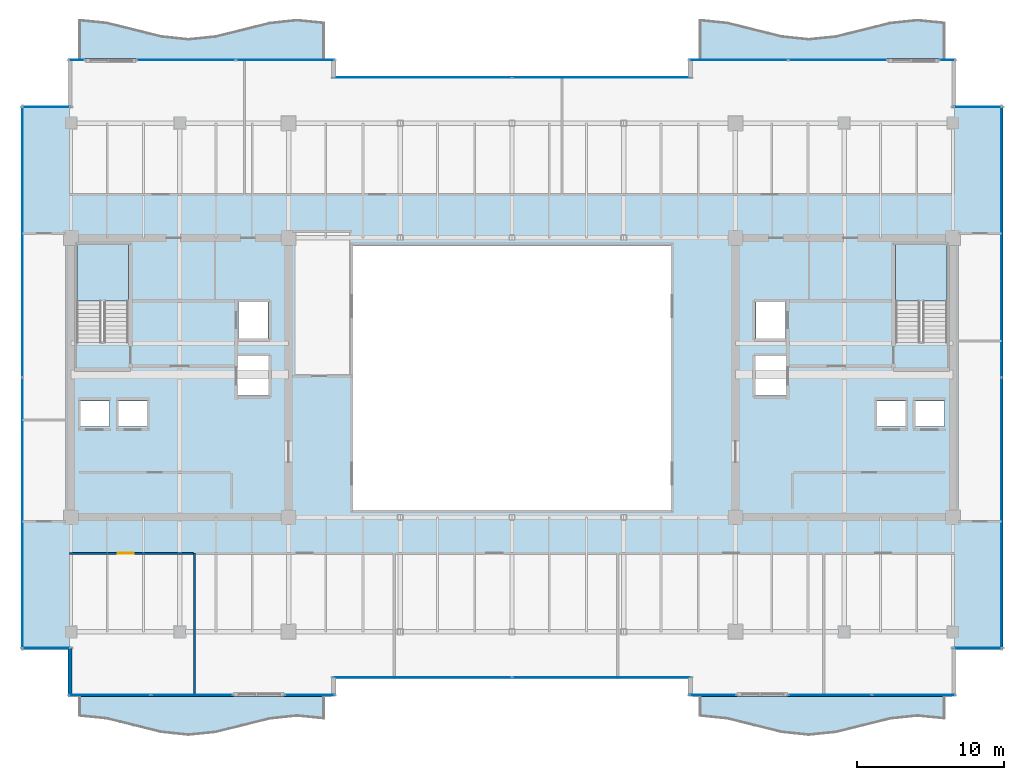
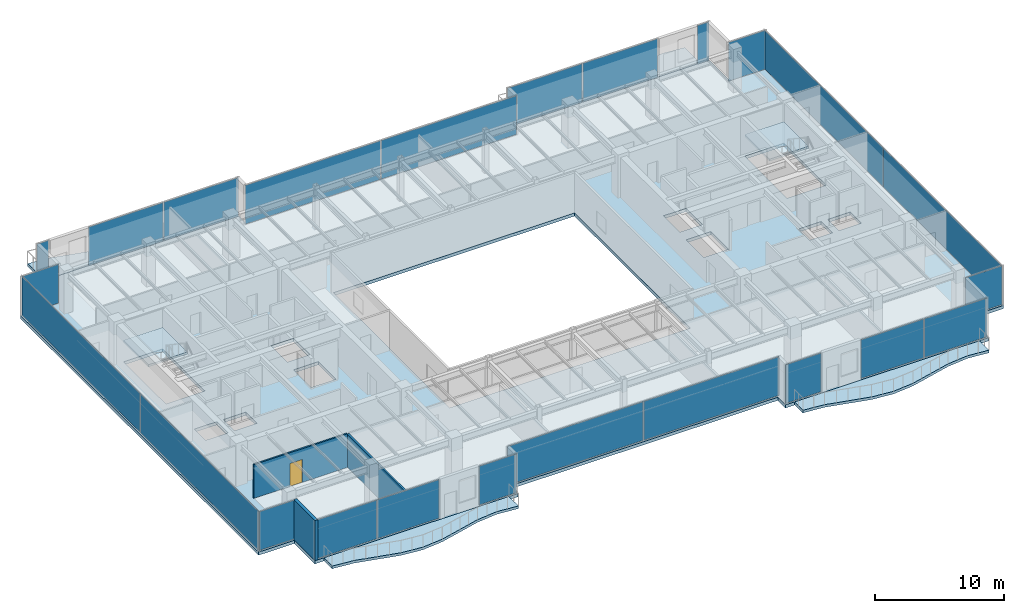
# One storey, part 27 of 35: 24 plates, 7 slabs, 3 walls, 1 door, 1 opening, 18 elements without a shape of their own.
"""IFC4 building model written with IfcOpenShell, lengths in metres."""

import ifcopenshell
import ifcopenshell.guid

model = None  # the IFC model being written
_history = None  # IfcOwnerHistory: only IFC2X3 demands one
_inside = {}  # id of a spatial element -> (the spatial element, [elements in it])
_under = {}  # id of a project, library or spatial element -> (it, [spatial elements below it])
_declared = {}  # id of a project -> (the project, [libraries it declares])
_typed = {}  # id of a type object -> (the type object, [elements of that type])
_made_of = {}  # id of a material, layer set ... -> (it, [elements and type objects made of it])


def new_model(schema):
    """Start an empty IFC model of exactly this schema.

    Asked for "IFC4X3", IfcOpenShell would pick the latest addendum, in which some entities
    have other attributes; the version numbers below select the first issue.
    IFC2X3 requires an IfcOwnerHistory on every rooted entity: one is made here for all.
    """
    global model, _history
    if schema == "IFC4X3":
        model = ifcopenshell.file(schema_version=(4, 3, 0, 0))
    else:
        model = ifcopenshell.file(schema=schema)
    _inside.clear()
    _under.clear()
    _declared.clear()
    _typed.clear()
    _made_of.clear()
    _history = None
    if model.schema == "IFC2X3":
        org = make("IfcOrganization", Name="unknown")
        user = make(
            "IfcPersonAndOrganization",
            ThePerson=make("IfcPerson", FamilyName="unknown"),
            TheOrganization=org,
        )
        app = make(
            "IfcApplication",
            ApplicationDeveloper=org,
            Version="unknown",
            ApplicationFullName="unknown",
            ApplicationIdentifier="unknown",
        )
        _history = make(
            "IfcOwnerHistory",
            OwningUser=user,
            OwningApplication=app,
            ChangeAction="ADDED",
            CreationDate=0,
        )
    return model


def make(cls, **values):
    """One entity of the class cls with the attributes given. An attribute that is None is left unset."""
    return model.create_entity(
        cls, **{name: value for name, value in values.items() if value is not None}
    )


def rooted(cls, **values):
    """An entity with a GlobalId (a new one), such as an element, a storey or a relation."""
    return make(cls, GlobalId=ifcopenshell.guid.new(), OwnerHistory=_history, **values)


def si_unit(unit_type, name, prefix=None):
    """IfcSIUnit, for example si_unit("LENGTHUNIT", "METRE", prefix="MILLI")."""
    return make("IfcSIUnit", UnitType=unit_type, Prefix=prefix, Name=name)


def assignment(units):
    """IfcUnitAssignment: the units of a project."""
    return None if units is None else make("IfcUnitAssignment", Units=units)


def point(xyz):
    """IfcCartesianPoint."""
    return None if xyz is None else make("IfcCartesianPoint", Coordinates=xyz)


def direction(xyz):
    """IfcDirection."""
    return None if xyz is None else make("IfcDirection", DirectionRatios=xyz)


def frame(location, z_axis=None, x_axis=None):
    """IfcAxis2Placement3D, a coordinate frame: its origin and axes. An axis left out is left unset."""
    return make(
        "IfcAxis2Placement3D",
        Location=point(location),
        Axis=direction(z_axis),
        RefDirection=direction(x_axis),
    )


def frame_2d(location, x_axis=None):
    """IfcAxis2Placement2D, a coordinate frame in the plane: its origin and x axis."""
    return make(
        "IfcAxis2Placement2D", Location=point(location), RefDirection=direction(x_axis)
    )


def origin():
    """The frame at (0, 0, 0) with its axes left unset."""
    return frame((0.0, 0.0, 0.0))


def origin_2d():
    """The frame at (0, 0) in the plane with its x axis left unset."""
    return frame_2d((0.0, 0.0))


def place(relative_to, where):
    """IfcLocalPlacement: puts the frame where relative to a parent placement (None: the world)."""
    return make(
        "IfcLocalPlacement", PlacementRelTo=relative_to, RelativePlacement=where
    )


def context(
    kind, dimensions, precision=None, world=None, true_north=None, identifier=None
):
    """IfcGeometricRepresentationContext, for example the 3D "Model" context."""
    return make(
        "IfcGeometricRepresentationContext",
        ContextIdentifier=identifier,
        ContextType=kind,
        CoordinateSpaceDimension=dimensions,
        Precision=precision,
        WorldCoordinateSystem=world,
        TrueNorth=true_north,
    )


def subcontext(parent, identifier, kind, view, scale=None):
    """IfcGeometricRepresentationSubContext, for example "Body" below "Model"."""
    return make(
        "IfcGeometricRepresentationSubContext",
        ContextIdentifier=identifier,
        ContextType=kind,
        ParentContext=parent,
        TargetScale=scale,
        TargetView=view,
    )


def project(units=None, contexts=None):
    """IfcProject with its units and contexts."""
    return rooted(
        "IfcProject",
        Name="project",
        RepresentationContexts=contexts,
        UnitsInContext=assignment(units),
    )


def spatial(cls, under=None, at=None, **own):
    """A site, building, storey or space (cls), placed at a placement, below another one or the project."""
    s = rooted(cls, ObjectPlacement=at, **own)
    if under is not None:
        _under.setdefault(under.id(), (under, []))[1].append(s)
    return s


def polyline(points):
    """IfcPolyline through the points."""
    return make("IfcPolyline", Points=[point(p) for p in points])


def profile(cls, at=None, kind="AREA", **sizes):
    """A parametric profile (cls). Its sizes go by their IFC names, for example OverallWidth=200.0."""
    return make(cls, ProfileType=kind, Position=at, **sizes)


def rectangle(**sizes):
    """IfcRectangleProfileDef."""
    return profile("IfcRectangleProfileDef", **sizes)


def outline(outer, holes=None, kind="AREA"):
    """IfcArbitraryClosedProfileDef: a profile drawn as a closed curve; with holes, ...WithVoids."""
    if holes is None:
        return make("IfcArbitraryClosedProfileDef", ProfileType=kind, OuterCurve=outer)
    return make(
        "IfcArbitraryProfileDefWithVoids",
        ProfileType=kind,
        OuterCurve=outer,
        InnerCurves=holes,
    )


def extrude(swept, where, along, depth):
    """IfcExtrudedAreaSolid: the profile swept, set in the frame where, extruded along a direction by depth."""
    return make(
        "IfcExtrudedAreaSolid",
        SweptArea=swept,
        Position=where,
        ExtrudedDirection=direction(along),
        Depth=depth,
    )


def shape(context_of_items, identifier, shape_type, items):
    """IfcShapeRepresentation: the items that make up one representation, for example the "Body"."""
    return make(
        "IfcShapeRepresentation",
        ContextOfItems=context_of_items,
        RepresentationIdentifier=identifier,
        RepresentationType=shape_type,
        Items=items,
    )


def source(mapping_origin, context_of_items, identifier, shape_type, items):
    """IfcRepresentationMap: a shape defined once, which mapped items show again and again."""
    return make(
        "IfcRepresentationMap",
        MappingOrigin=mapping_origin,
        MappedRepresentation=shape(context_of_items, identifier, shape_type, items),
    )


def transform(
    local_origin,
    x_axis=None,
    y_axis=None,
    z_axis=None,
    scale=None,
    scale2=None,
    scale3=None,
    uniform=True,
):
    """IfcCartesianTransformationOperator3D, or its non-uniform kind. x_axis, y_axis, z_axis: its Axis1, 2, 3."""
    if uniform:
        return make(
            "IfcCartesianTransformationOperator3D",
            Axis1=direction(x_axis),
            Axis2=direction(y_axis),
            LocalOrigin=point(local_origin),
            Scale=scale,
            Axis3=direction(z_axis),
        )
    return make(
        "IfcCartesianTransformationOperator3DnonUniform",
        Axis1=direction(x_axis),
        Axis2=direction(y_axis),
        LocalOrigin=point(local_origin),
        Scale=scale,
        Axis3=direction(z_axis),
        Scale2=scale2,
        Scale3=scale3,
    )


def mapped(mapping_source, mapping_target):
    """IfcMappedItem: shows the shape of a source again, moved by a transform."""
    return make(
        "IfcMappedItem", MappingSource=mapping_source, MappingTarget=mapping_target
    )


def material(Name=None, Category=None):
    """IfcMaterial."""
    return make("IfcMaterial", Name=Name, Category=Category)


def layer(
    of_material, thickness, ventilated=None, Name=None, Category=None, Priority=None
):
    """IfcMaterialLayer: one layer of a wall or slab, of a material (None: an air gap)."""
    return make(
        "IfcMaterialLayer",
        Material=of_material,
        LayerThickness=thickness,
        IsVentilated=ventilated,
        Name=Name,
        Category=Category,
        Priority=Priority,
    )


def layer_set(layers, Name=None):
    """IfcMaterialLayerSet."""
    return make("IfcMaterialLayerSet", MaterialLayers=layers, LayerSetName=Name)


def made_of(thing, what):
    """Note that an element or type object is made of a material, layer set ...; save() writes the relation."""
    if what is not None:
        _made_of.setdefault(what.id(), (what, []))[1].append(thing)
    return thing


def type_object(cls, material=None, **own):
    """A type object (cls), such as IfcWallType, which elements share."""
    return made_of(rooted(cls, **own), material)


def type_shapes(of_type, sources):
    """Give a type object the sources (RepresentationMaps) that its elements show as mapped items."""
    of_type.RepresentationMaps = sources


def element(
    cls,
    number,
    at=None,
    inside=None,
    cuts=None,
    type_object=None,
    material=None,
    context=None,
    identifier="Body",
    shape_type=None,
    held_by="IfcProductDefinitionShape",
    body=None,
    shapes=None,
    **own,
):
    """One element of the class cls, such as IfcWall. Its Tag is "e" and its number.

    at: its placement. inside: the storey or other place that contains it. cuts: it is an
    opening in that element (IfcRelVoidsElement). A single representation is given by context,
    identifier, shape_type and body (its items); several are given by shapes. held_by: the class
    of the entity that holds the representations. save() writes the other relations.
    """
    e = rooted(cls, Tag="e%d" % number, ObjectPlacement=at, **own)
    if body is not None:
        shapes = [shape(context, identifier, shape_type, body)]
    if shapes is not None:
        e.Representation = make(held_by, Representations=shapes)
    if inside is not None:
        _inside.setdefault(inside.id(), (inside, []))[1].append(e)
    if cuts is not None:
        rooted(
            "IfcRelVoidsElement", RelatingBuildingElement=cuts, RelatedOpeningElement=e
        )
    if type_object is not None:
        _typed.setdefault(type_object.id(), (type_object, []))[1].append(e)
    return made_of(e, material)


def fill(opening, filler):
    """IfcRelFillsElement: the door or window that sits in an opening."""
    return rooted(
        "IfcRelFillsElement",
        RelatingOpeningElement=opening,
        RelatedBuildingElement=filler,
    )


def aggregate(whole, parts):
    """IfcRelAggregates: a whole, such as a stair, and the parts it consists of."""
    return rooted("IfcRelAggregates", RelatingObject=whole, RelatedObjects=parts)


def save(model, path):
    """Write the relations noted so far, then the file.

    IfcRelAggregates (storeys below a building ...), IfcRelContainedInSpatialStructure (elements
    in a storey), IfcRelDefinesByType, IfcRelAssociatesMaterial and IfcRelDeclares: one each for
    every whole, place, type object, material and project.
    """
    for whole, parts in _under.values():
        aggregate(whole, parts)
    for where, things in _inside.values():
        rooted(
            "IfcRelContainedInSpatialStructure",
            RelatedElements=things,
            RelatingStructure=where,
        )
    for kind, things in _typed.values():
        rooted("IfcRelDefinesByType", RelatedObjects=things, RelatingType=kind)
    for what, things in _made_of.values():
        rooted("IfcRelAssociatesMaterial", RelatedObjects=things, RelatingMaterial=what)
    for by, libraries in _declared.values():
        rooted("IfcRelDeclares", RelatingContext=by, RelatedDefinitions=libraries)
    model.write(path)


model = new_model("IFC4")

# Units and contexts
model_context = context("Model", 3, precision=1e-05, world=origin(), true_north=direction((0.0, 1.0)))
body_context = subcontext(model_context, "Body", "Model", "MODEL_VIEW")
ifc_project = project(units=[si_unit("LENGTHUNIT", "METRE"), si_unit("AREAUNIT", "SQUARE_METRE"), si_unit("VOLUMEUNIT", "CUBIC_METRE"), si_unit("PLANEANGLEUNIT", "RADIAN"), si_unit("MASSUNIT", "GRAM", prefix="KILO")], contexts=[model_context])

# Site, building, storey
site_placement = place(None, origin())
site = spatial("IfcSite", under=ifc_project, at=site_placement, CompositionType="ELEMENT")
building_placement = place(site_placement, origin())
building = spatial("IfcBuilding", under=site, at=building_placement, Name="Haelvirn Gate Laboratories", CompositionType="ELEMENT")
storey_placement = place(building_placement, frame((0.0, 0.0, 283.39990234375)))
storey = spatial("IfcBuildingStorey", under=building, at=storey_placement, Name="L68", CompositionType="ELEMENT", Elevation=283.39990234375)

# Stair, slab
ifc_material_1 = material(Name="Concrete C40/50", Category="concrete")
stair_type = type_object("IfcStairType", Name="ST-DOG-1650-R22", PredefinedType="HALF_TURN_STAIR", material=ifc_material_1)
stair_1_placement = place(storey_placement, origin())
stair_1 = element("IfcStair", 1, at=stair_1_placement, inside=storey, type_object=stair_type, Name="L68 Escape Stair ST1", PredefinedType="HALF_TURN_STAIR")
ifc_layer_1 = layer(ifc_material_1, 0.199951171875, Name="SL-STAIR-LND")
ifc_layer_set_1 = layer_set([ifc_layer_1], Name="Concrete C40/50")
slab_type_1 = type_object("IfcSlabType", Name="SL-STAIR-LND", PredefinedType="LANDING", material=ifc_layer_set_1)
slab_1_placement = place(storey_placement, frame((0.0, 0.0, 1.85009765625)))
slab_1 = element("IfcSlab", 2, at=slab_1_placement, type_object=slab_type_1, Name="ST1 landing 1", PredefinedType="LANDING", context=body_context, shape_type="SweptSolid", body=[
    extrude(outline(polyline([(11.300048828125, 29.5), (11.300048828125, 33.35009765625), (7.800048828125, 33.35009765625), (7.800048828125, 29.5), (11.300048828125, 29.5)])), origin(), (0.0, 0.0, 1.0), 0.199951171875),
])
aggregate(stair_1, [slab_1])

stair_2_placement = place(storey_placement, origin())
stair_2 = element("IfcStair", 3, at=stair_2_placement, inside=storey, type_object=stair_type, Name="L68 Escape Stair ST2", PredefinedType="HALF_TURN_STAIR")
slab_2_placement = place(storey_placement, frame((0.0, 0.0, 1.85009765625)))
slab_2 = element("IfcSlab", 4, at=slab_2_placement, type_object=slab_type_1, Name="ST2 landing 1", PredefinedType="LANDING", context=body_context, shape_type="SweptSolid", body=[
    extrude(outline(polyline([(67.0, 29.5), (67.0, 33.35009765625), (63.5, 33.35009765625), (63.5, 29.5), (67.0, 29.5)])), origin(), (0.0, 0.0, 1.0), 0.199951171875),
])
aggregate(stair_2, [slab_2])

# Slabs
ifc_layer_2 = layer(ifc_material_1, 0.25, Name="SL-WB-P7")
ifc_layer_set_2 = layer_set([ifc_layer_2], Name="Concrete C40/50")
slab_type_2 = type_object("IfcSlabType", Name="SL-WB-P7", PredefinedType="FLOOR", material=ifc_layer_set_2)
slab_3_placement = place(storey_placement, frame((0.0, 0.0, -0.25)))
element("IfcSlab", 5, at=slab_3_placement, inside=storey, type_object=slab_type_2, Name="L68 Soft-Wave Balcony WL-S", PredefinedType="FLOOR", context=body_context, shape_type="SweptSolid", body=[
    extrude(outline(polyline([(8.0, 1.300048828125), (9.844482421875, 1.110595703125), (11.68896484375, 0.653076171875), (13.533203125, 0.193603515625), (15.377685546875, 0.0), (17.22216796875, 0.18505859375), (19.066650390625, 0.640869140625), (20.9111328125, 1.10205078125), (22.755615234375, 1.2998046875), (24.60009765625, 1.119384765625), (24.60009765625, 2.60009765625), (22.755615234375, 2.60009765625), (20.9111328125, 2.60009765625), (19.066650390625, 2.60009765625), (17.22216796875, 2.60009765625), (15.377685546875, 2.60009765625), (13.533203125, 2.60009765625), (11.68896484375, 2.60009765625), (9.844482421875, 2.60009765625), (8.0, 2.60009765625), (8.0, 1.300048828125)])), origin(), (0.0, 0.0, 1.0), 0.25),
])
slab_4_placement = place(storey_placement, frame((0.0, 0.0, -0.25)))
element("IfcSlab", 6, at=slab_4_placement, inside=storey, type_object=slab_type_2, Name="L68 Soft-Wave Balcony WL-N", PredefinedType="FLOOR", context=body_context, shape_type="SweptSolid", body=[
    extrude(outline(polyline([(8.0, 46.0), (9.844482421875, 46.0), (11.68896484375, 46.0), (13.533203125, 46.0), (15.377685546875, 46.0), (17.22216796875, 46.0), (19.066650390625, 46.0), (20.9111328125, 46.0), (22.755615234375, 46.0), (24.60009765625, 46.0), (24.60009765625, 48.419189453125), (22.755615234375, 48.599853515625), (20.9111328125, 48.402099609375), (19.066650390625, 47.94091796875), (17.22216796875, 47.485107421875), (15.377685546875, 47.300048828125), (13.533203125, 47.49365234375), (11.68896484375, 47.953125), (9.844482421875, 48.41064453125), (8.0, 48.60009765625), (8.0, 46.0)])), origin(), (0.0, 0.0, 1.0), 0.25),
])
slab_5_placement = place(storey_placement, frame((0.0, 0.0, -0.25)))
element("IfcSlab", 7, at=slab_5_placement, inside=storey, type_object=slab_type_2, Name="L68 Soft-Wave Balcony EL-S", PredefinedType="FLOOR", context=body_context, shape_type="SweptSolid", body=[
    extrude(outline(polyline([(50.199951171875, 1.300048828125), (52.04443359375, 1.110595703125), (53.888916015625, 0.653076171875), (55.7333984375, 0.193603515625), (57.577880859375, 0.0), (59.422119140625, 0.18505859375), (61.2666015625, 0.640869140625), (63.111083984375, 1.10205078125), (64.95556640625, 1.2998046875), (66.800048828125, 1.119384765625), (66.800048828125, 2.60009765625), (64.95556640625, 2.60009765625), (63.111083984375, 2.60009765625), (61.2666015625, 2.60009765625), (59.422119140625, 2.60009765625), (57.577880859375, 2.60009765625), (55.7333984375, 2.60009765625), (53.888916015625, 2.60009765625), (52.04443359375, 2.60009765625), (50.199951171875, 2.60009765625), (50.199951171875, 1.300048828125)])), origin(), (0.0, 0.0, 1.0), 0.25),
])
slab_6_placement = place(storey_placement, frame((0.0, 0.0, -0.25)))
element("IfcSlab", 8, at=slab_6_placement, inside=storey, type_object=slab_type_2, Name="L68 Soft-Wave Balcony EL-N", PredefinedType="FLOOR", context=body_context, shape_type="SweptSolid", body=[
    extrude(outline(polyline([(50.199951171875, 46.0), (52.04443359375, 46.0), (53.888916015625, 46.0), (55.7333984375, 46.0), (57.577880859375, 46.0), (59.422119140625, 46.0), (61.2666015625, 46.0), (63.111083984375, 46.0), (64.95556640625, 46.0), (66.800048828125, 46.0), (66.800048828125, 48.419189453125), (64.95556640625, 48.599853515625), (63.111083984375, 48.402099609375), (61.2666015625, 47.94091796875), (59.422119140625, 47.485107421875), (57.577880859375, 47.300048828125), (55.7333984375, 47.49365234375), (53.888916015625, 47.953125), (52.04443359375, 48.41064453125), (50.199951171875, 48.60009765625), (50.199951171875, 46.0)])), origin(), (0.0, 0.0, 1.0), 0.25),
])
ifc_layer_3 = layer(ifc_material_1, 0.300048828125, Name="SL-Z3-300")
ifc_layer_set_3 = layer_set([ifc_layer_3], Name="Concrete C40/50")
slab_type_3 = type_object("IfcSlabType", Name="SL-Z3-300", PredefinedType="FLOOR", material=ifc_layer_set_3)
slab_7_placement = place(storey_placement, frame((0.0, 0.0, -0.2998046875)))
element("IfcSlab", 9, at=slab_7_placement, inside=storey, type_object=slab_type_3, Name="L68 Structural Slab MAIN", PredefinedType="FLOOR", context=body_context, shape_type="SweptSolid", body=[
    extrude(outline(polyline([(7.199951171875, 2.60009765625), (25.39990234375, 2.60009765625), (25.39990234375, 3.800048828125), (49.39990234375, 3.800048828125), (49.39990234375, 2.60009765625), (67.60009765625, 2.60009765625), (67.60009765625, 5.800048828125), (70.800048828125, 5.800048828125), (70.800048828125, 42.800048828125), (67.60009765625, 42.800048828125), (67.60009765625, 46.0), (49.39990234375, 46.0), (49.39990234375, 44.800048828125), (25.39990234375, 44.800048828125), (25.39990234375, 46.0), (7.199951171875, 46.0), (7.199951171875, 42.800048828125), (4.0, 42.800048828125), (4.0, 5.800048828125), (7.199951171875, 5.800048828125), (7.199951171875, 2.60009765625)]), holes=[polyline([(26.60009765625, 15.300048828125), (48.199951171875, 15.300048828125), (48.199951171875, 33.300048828125), (26.60009765625, 33.300048828125), (26.60009765625, 15.300048828125)]), polyline([(11.300048828125, 26.780029296875), (11.300048828125, 33.35009765625), (7.800048828125, 33.35009765625), (7.800048828125, 26.780029296875), (11.300048828125, 26.780029296875)]), polyline([(67.0, 26.780029296875), (67.0, 33.35009765625), (63.5, 33.35009765625), (63.5, 26.780029296875), (67.0, 26.780029296875)]), polyline([(7.989990234375, 20.969970703125), (10.010009765625, 20.969970703125), (10.010009765625, 22.7099609375), (7.989990234375, 22.7099609375), (7.989990234375, 20.969970703125)]), polyline([(10.590087890625, 20.969970703125), (12.610107421875, 20.969970703125), (12.610107421875, 22.7099609375), (10.590087890625, 22.7099609375), (10.590087890625, 20.969970703125)]), polyline([(18.7900390625, 26.969970703125), (20.81005859375, 26.969970703125), (20.81005859375, 29.510009765625), (18.7900390625, 29.510009765625), (18.7900390625, 26.969970703125)]), polyline([(18.68994140625, 23.070068359375), (20.909912109375, 23.070068359375), (20.909912109375, 25.81005859375), (18.68994140625, 25.81005859375), (18.68994140625, 23.070068359375)]), polyline([(64.7900390625, 20.969970703125), (66.81005859375, 20.969970703125), (66.81005859375, 22.7099609375), (64.7900390625, 22.7099609375), (64.7900390625, 20.969970703125)]), polyline([(62.18994140625, 20.969970703125), (64.2099609375, 20.969970703125), (64.2099609375, 22.7099609375), (62.18994140625, 22.7099609375), (62.18994140625, 20.969970703125)]), polyline([(53.989990234375, 26.969970703125), (56.010009765625, 26.969970703125), (56.010009765625, 29.510009765625), (53.989990234375, 29.510009765625), (53.989990234375, 26.969970703125)]), polyline([(53.889892578125, 23.070068359375), (56.110107421875, 23.070068359375), (56.110107421875, 25.81005859375), (53.889892578125, 25.81005859375), (53.889892578125, 23.070068359375)])]), origin(), (0.0, 0.0, 1.0), 0.2998046875),
])

# Curtain wall, plates
ifc_material_2 = material(Name="Anodised bronze unitised aluminium & triple low-E glass", Category="aluminium")
ifc_layer_4 = layer(ifc_material_2, 0.176025390625, Name="CW-SYS-4")
ifc_layer_set_4 = layer_set([ifc_layer_4], Name="Anodised bronze unitised aluminium & triple low-E glass")
curtain_wall_type_1 = type_object("IfcCurtainWallType", Name="CW-SYS-4", PredefinedType="NOTDEFINED", material=ifc_layer_set_4)
curtain_wall_1_placement = place(storey_placement, origin())
curtain_wall_1 = element("IfcCurtainWall", 10, at=curtain_wall_1_placement, inside=storey, type_object=curtain_wall_type_1, Name="L68 Unitised Curtain Wall CW-L68-P0-E02-1", PredefinedType="NOTDEFINED")
ifc_material_3 = material(Name="Acoustic laminated bronze triple IGU 36 mm", Category="glass")
ifc_layer_5 = layer(ifc_material_3, 0.035888671875, Name="CWP-IGU-36")
ifc_layer_set_5 = layer_set([ifc_layer_5], Name="Acoustic laminated bronze triple IGU 36 mm")
plate_type_1 = type_object("IfcPlateType", Name="CWP-IGU-36", PredefinedType="CURTAIN_PANEL", material=ifc_layer_set_5)
shared_shape_1 = source(origin(), body_context, "Body", "SweptSolid", [
    extrude(rectangle(XDim=12.135009765625, YDim=0.035888671875, at=origin_2d()), origin(), (0.0, 0.0, 1.0), 3.669921875),
])
plate_1_placement = place(storey_placement, frame((31.297607421875, 3.89990234375, 0.065185546875), z_axis=(0.0, 0.0, 1.0), x_axis=(1.0, 0.0, 0.0)))
plate_1 = element("IfcPlate", 11, at=plate_1_placement, type_object=plate_type_1, Name="CW4 panel 1.1", PredefinedType="CURTAIN_PANEL", context=body_context, shape_type="MappedRepresentation", body=[
    mapped(shared_shape_1, transform((0.0, 0.0, 0.0), scale=1.0)),
])
plate_2_placement = place(storey_placement, frame((43.50244140625, 3.89990234375, 0.065185546875), z_axis=(0.0, 0.0, 1.0), x_axis=(1.0, 0.0, 0.0)))
plate_2 = element("IfcPlate", 12, at=plate_2_placement, type_object=plate_type_1, Name="CW4 panel 2.1", PredefinedType="CURTAIN_PANEL", context=body_context, shape_type="MappedRepresentation", body=[
    mapped(shared_shape_1, transform((0.0, 0.0, 0.0), scale=1.0)),
])
aggregate(curtain_wall_1, [plate_1, plate_2])

curtain_wall_2_placement = place(storey_placement, origin())
curtain_wall_2 = element("IfcCurtainWall", 13, at=curtain_wall_2_placement, inside=storey, type_object=curtain_wall_type_1, Name="L68 Unitised Curtain Wall CW-L68-P0-E12-1", PredefinedType="NOTDEFINED")
plate_3_placement = place(storey_placement, frame((31.297607421875, 44.699951171875, 0.065185546875), z_axis=(0.0, 0.0, 1.0), x_axis=(1.0, 0.0, 0.0)))
plate_3 = element("IfcPlate", 14, at=plate_3_placement, type_object=plate_type_1, Name="CW4 panel 1.1", PredefinedType="CURTAIN_PANEL", context=body_context, shape_type="MappedRepresentation", body=[
    mapped(shared_shape_1, transform((0.0, 0.0, 0.0), scale=1.0)),
])
plate_4_placement = place(storey_placement, frame((43.50244140625, 44.699951171875, 0.065185546875), z_axis=(0.0, 0.0, 1.0), x_axis=(1.0, 0.0, 0.0)))
plate_4 = element("IfcPlate", 15, at=plate_4_placement, type_object=plate_type_1, Name="CW4 panel 2.1", PredefinedType="CURTAIN_PANEL", context=body_context, shape_type="MappedRepresentation", body=[
    mapped(shared_shape_1, transform((0.0, 0.0, 0.0), scale=1.0)),
])
aggregate(curtain_wall_2, [plate_3, plate_4])

# Curtain wall, plate
ifc_layer_6 = layer(ifc_material_2, 0.181884765625, Name="CW-SYS-5")
ifc_layer_set_6 = layer_set([ifc_layer_6], Name="Anodised bronze unitised aluminium & triple low-E glass")
curtain_wall_type_2 = type_object("IfcCurtainWallType", Name="CW-SYS-5", PredefinedType="NOTDEFINED", material=ifc_layer_set_6)
curtain_wall_3_placement = place(storey_placement, origin())
curtain_wall_3 = element("IfcCurtainWall", 16, at=curtain_wall_3_placement, inside=storey, type_object=curtain_wall_type_2, Name="L68 Unitised Curtain Wall CW-L68-P0-E06-1", PredefinedType="NOTDEFINED")
ifc_material_4 = material(Name="Clear low-iron notched-corner triple IGU 42 mm", Category="glass")
ifc_layer_7 = layer(ifc_material_4, 0.0419921875, Name="CWP-NTC-42")
ifc_layer_set_7 = layer_set([ifc_layer_7], Name="Clear low-iron notched-corner triple IGU 42 mm")
plate_type_2 = type_object("IfcPlateType", Name="CWP-NTC-42", PredefinedType="CURTAIN_PANEL", material=ifc_layer_set_7)
shared_shape_2 = source(origin(), body_context, "Body", "SweptSolid", [
    extrude(rectangle(XDim=3.280029296875, YDim=0.0419921875, at=origin_2d()), origin(), (0.0, 0.0, 1.0), 3.669921875),
])
type_shapes(plate_type_2, [shared_shape_2])
plate_5_placement = place(storey_placement, frame((69.080078125, 5.89990234375, 0.065185546875), z_axis=(0.0, 0.0, 1.0), x_axis=(1.0, 0.0, 0.0)))
plate_5 = element("IfcPlate", 17, at=plate_5_placement, type_object=plate_type_2, Name="CW5 panel 1.1", PredefinedType="CURTAIN_PANEL", context=body_context, shape_type="MappedRepresentation", body=[
    mapped(shared_shape_2, transform((0.0, 0.0, 0.0), scale=1.0)),
])
aggregate(curtain_wall_3, [plate_5])

curtain_wall_4_placement = place(storey_placement, origin())
curtain_wall_4 = element("IfcCurtainWall", 18, at=curtain_wall_4_placement, inside=storey, type_object=curtain_wall_type_2, Name="L68 Unitised Curtain Wall CW-L68-P0-E08-1", PredefinedType="NOTDEFINED")
plate_6_placement = place(storey_placement, frame((69.080078125, 42.699951171875, 0.065185546875), z_axis=(0.0, 0.0, 1.0), x_axis=(1.0, 0.0, 0.0)))
plate_6 = element("IfcPlate", 19, at=plate_6_placement, type_object=plate_type_2, Name="CW5 panel 1.1", PredefinedType="CURTAIN_PANEL", context=body_context, shape_type="MappedRepresentation", body=[
    mapped(shared_shape_2, transform((0.0, 0.0, 0.0), scale=1.0)),
])
aggregate(curtain_wall_4, [plate_6])

curtain_wall_5_placement = place(storey_placement, origin())
curtain_wall_5 = element("IfcCurtainWall", 20, at=curtain_wall_5_placement, inside=storey, type_object=curtain_wall_type_2, Name="L68 Unitised Curtain Wall CW-L68-P0-E16-1", PredefinedType="NOTDEFINED")
plate_7_placement = place(storey_placement, frame((5.719970703125, 42.699951171875, 0.065185546875), z_axis=(0.0, 0.0, 1.0), x_axis=(1.0, 0.0, 0.0)))
plate_7 = element("IfcPlate", 21, at=plate_7_placement, type_object=plate_type_2, Name="CW5 panel 1.1", PredefinedType="CURTAIN_PANEL", context=body_context, shape_type="MappedRepresentation", body=[
    mapped(shared_shape_2, transform((0.0, 0.0, 0.0), scale=1.0)),
])
aggregate(curtain_wall_5, [plate_7])

curtain_wall_6_placement = place(storey_placement, origin())
curtain_wall_6 = element("IfcCurtainWall", 22, at=curtain_wall_6_placement, inside=storey, type_object=curtain_wall_type_2, Name="L68 Unitised Curtain Wall CW-L68-P0-E18-1", PredefinedType="NOTDEFINED")
plate_8_placement = place(storey_placement, frame((5.719970703125, 5.89990234375, 0.065185546875), z_axis=(0.0, 0.0, 1.0), x_axis=(1.0, 0.0, 0.0)))
plate_8 = element("IfcPlate", 23, at=plate_8_placement, type_object=plate_type_2, Name="CW5 panel 1.1", PredefinedType="CURTAIN_PANEL", context=body_context, shape_type="MappedRepresentation", body=[
    mapped(shared_shape_2, transform((0.0, 0.0, 0.0), scale=1.0)),
])
aggregate(curtain_wall_6, [plate_8])

# Curtain wall, plates
curtain_wall_7_placement = place(storey_placement, origin())
curtain_wall_7 = element("IfcCurtainWall", 24, at=curtain_wall_7_placement, inside=storey, type_object=curtain_wall_type_1, Name="L68 Unitised Curtain Wall CW-L68-P0-E07", PredefinedType="NOTDEFINED")
shared_shape_3 = source(origin(), body_context, "Body", "SweptSolid", [
    extrude(rectangle(XDim=18.39501953125, YDim=0.035888671875, at=origin_2d()), origin(), (0.0, 0.0, 1.0), 3.669921875),
])
plate_9_placement = place(storey_placement, frame((70.699951171875, 15.0673828125, 0.065185546875), z_axis=(0.0, 0.0, 1.0), x_axis=(0.0, 1.0, 0.0)))
plate_9 = element("IfcPlate", 25, at=plate_9_placement, type_object=plate_type_1, Name="CW4 panel 1.1", PredefinedType="CURTAIN_PANEL", context=body_context, shape_type="MappedRepresentation", body=[
    mapped(shared_shape_3, transform((0.0, 0.0, 0.0), scale=1.0)),
])
plate_10_placement = place(storey_placement, frame((70.699951171875, 33.532470703125, 0.065185546875), z_axis=(0.0, 0.0, 1.0), x_axis=(0.0, 1.0, 0.0)))
plate_10 = element("IfcPlate", 26, at=plate_10_placement, type_object=plate_type_1, Name="CW4 panel 2.1", PredefinedType="CURTAIN_PANEL", context=body_context, shape_type="MappedRepresentation", body=[
    mapped(shared_shape_3, transform((0.0, 0.0, 0.0), scale=1.0)),
])
aggregate(curtain_wall_7, [plate_9, plate_10])

curtain_wall_8_placement = place(storey_placement, origin())
curtain_wall_8 = element("IfcCurtainWall", 27, at=curtain_wall_8_placement, inside=storey, type_object=curtain_wall_type_1, Name="L68 Unitised Curtain Wall CW-L68-P0-E17", PredefinedType="NOTDEFINED")
plate_11_placement = place(storey_placement, frame((4.10009765625, 33.532470703125, 0.065185546875), z_axis=(0.0, 0.0, 1.0), x_axis=(0.0, -1.0, 0.0)))
plate_11 = element("IfcPlate", 28, at=plate_11_placement, type_object=plate_type_1, Name="CW4 panel 1.1", PredefinedType="CURTAIN_PANEL", context=body_context, shape_type="MappedRepresentation", body=[
    mapped(shared_shape_3, transform((0.0, 0.0, 0.0), scale=1.0)),
])
plate_12_placement = place(storey_placement, frame((4.10009765625, 15.0673828125, 0.065185546875), z_axis=(0.0, 0.0, 1.0), x_axis=(0.0, -1.0, 0.0)))
plate_12 = element("IfcPlate", 29, at=plate_12_placement, type_object=plate_type_1, Name="CW4 panel 2.1", PredefinedType="CURTAIN_PANEL", context=body_context, shape_type="MappedRepresentation", body=[
    mapped(shared_shape_3, transform((0.0, 0.0, 0.0), scale=1.0)),
])
aggregate(curtain_wall_8, [plate_11, plate_12])

curtain_wall_9_placement = place(storey_placement, origin())
curtain_wall_9 = element("IfcCurtainWall", 30, at=curtain_wall_9_placement, inside=storey, type_object=curtain_wall_type_1, Name="L68 Unitised Curtain Wall CW-L68-P0-E10-1", PredefinedType="NOTDEFINED")
shared_shape_4 = source(origin(), body_context, "Body", "SweptSolid", [
    extrude(rectangle(XDim=6.68505859375, YDim=0.035888671875, at=origin_2d()), origin(), (0.0, 0.0, 1.0), 3.669921875),
])
plate_13_placement = place(storey_placement, frame((52.8125, 45.89990234375, 0.065185546875), z_axis=(0.0, 0.0, 1.0), x_axis=(1.0, 0.0, 0.0)))
plate_13 = element("IfcPlate", 31, at=plate_13_placement, type_object=plate_type_1, Name="CW4 panel 1.1", PredefinedType="CURTAIN_PANEL", context=body_context, shape_type="MappedRepresentation", body=[
    mapped(shared_shape_4, transform((0.0, 0.0, 0.0), scale=1.0)),
])
plate_14_placement = place(storey_placement, frame((59.5673828125, 45.89990234375, 0.065185546875), z_axis=(0.0, 0.0, 1.0), x_axis=(1.0, 0.0, 0.0)))
plate_14 = element("IfcPlate", 32, at=plate_14_placement, type_object=plate_type_1, Name="CW4 panel 2.1", PredefinedType="CURTAIN_PANEL", context=body_context, shape_type="MappedRepresentation", body=[
    mapped(shared_shape_4, transform((0.0, 0.0, 0.0), scale=1.0)),
])
aggregate(curtain_wall_9, [plate_13, plate_14])

curtain_wall_10_placement = place(storey_placement, origin())
curtain_wall_10 = element("IfcCurtainWall", 33, at=curtain_wall_10_placement, inside=storey, type_object=curtain_wall_type_1, Name="L68 Unitised Curtain Wall CW-L68-P0-E14-2", PredefinedType="NOTDEFINED")
plate_15_placement = place(storey_placement, frame((15.232421875, 45.89990234375, 0.065185546875), z_axis=(0.0, 0.0, 1.0), x_axis=(1.0, 0.0, 0.0)))
plate_15 = element("IfcPlate", 34, at=plate_15_placement, type_object=plate_type_1, Name="CW4 panel 1.1", PredefinedType="CURTAIN_PANEL", context=body_context, shape_type="MappedRepresentation", body=[
    mapped(shared_shape_4, transform((0.0, 0.0, 0.0), scale=1.0)),
])
plate_16_placement = place(storey_placement, frame((21.987548828125, 45.89990234375, 0.065185546875), z_axis=(0.0, 0.0, 1.0), x_axis=(1.0, 0.0, 0.0)))
plate_16 = element("IfcPlate", 35, at=plate_16_placement, type_object=plate_type_1, Name="CW4 panel 2.1", PredefinedType="CURTAIN_PANEL", context=body_context, shape_type="MappedRepresentation", body=[
    mapped(shared_shape_4, transform((0.0, 0.0, 0.0), scale=1.0)),
])
aggregate(curtain_wall_10, [plate_15, plate_16])

# Curtain wall, plate
curtain_wall_11_placement = place(storey_placement, origin())
curtain_wall_11 = element("IfcCurtainWall", 36, at=curtain_wall_11_placement, inside=storey, type_object=curtain_wall_type_1, Name="L68 Unitised Curtain Wall CW-L68-P0-E10-2", PredefinedType="NOTDEFINED")
shared_shape_5 = source(origin(), body_context, "Body", "SweptSolid", [
    extrude(rectangle(XDim=1.0400390625, YDim=0.035888671875, at=origin_2d()), origin(), (0.0, 0.0, 1.0), 3.669921875),
])
plate_17_placement = place(storey_placement, frame((67.010009765625, 45.89990234375, 0.065185546875), z_axis=(0.0, 0.0, 1.0), x_axis=(1.0, 0.0, 0.0)))
plate_17 = element("IfcPlate", 37, at=plate_17_placement, type_object=plate_type_1, Name="CW4 panel 1.1", PredefinedType="CURTAIN_PANEL", context=body_context, shape_type="MappedRepresentation", body=[
    mapped(shared_shape_5, transform((0.0, 0.0, 0.0), scale=1.0)),
])
aggregate(curtain_wall_11, [plate_17])

curtain_wall_12_placement = place(storey_placement, origin())
curtain_wall_12 = element("IfcCurtainWall", 38, at=curtain_wall_12_placement, inside=storey, type_object=curtain_wall_type_1, Name="L68 Unitised Curtain Wall CW-L68-P0-E14-1", PredefinedType="NOTDEFINED")
plate_18_placement = place(storey_placement, frame((7.7900390625, 45.89990234375, 0.065185546875), z_axis=(0.0, 0.0, 1.0), x_axis=(1.0, 0.0, 0.0)))
plate_18 = element("IfcPlate", 39, at=plate_18_placement, type_object=plate_type_1, Name="CW4 panel 1.1", PredefinedType="CURTAIN_PANEL", context=body_context, shape_type="MappedRepresentation", body=[
    mapped(shared_shape_5, transform((0.0, 0.0, 0.0), scale=1.0)),
])
aggregate(curtain_wall_12, [plate_18])

curtain_wall_13_placement = place(storey_placement, origin())
curtain_wall_13 = element("IfcCurtainWall", 40, at=curtain_wall_13_placement, inside=storey, type_object=curtain_wall_type_1, Name="L68 Unitised Curtain Wall CW-L68-P0-E00-2", PredefinedType="NOTDEFINED")
shared_shape_6 = source(origin(), body_context, "Body", "SweptSolid", [
    extrude(rectangle(XDim=3.364990234375, YDim=0.035888671875, at=origin_2d()), origin(), (0.0, 0.0, 1.0), 3.669921875),
])
plate_19_placement = place(storey_placement, frame((23.6474609375, 2.699951171875, 0.065185546875), z_axis=(0.0, 0.0, 1.0), x_axis=(1.0, 0.0, 0.0)))
plate_19 = element("IfcPlate", 41, at=plate_19_placement, type_object=plate_type_1, Name="CW4 panel 1.1", PredefinedType="CURTAIN_PANEL", context=body_context, shape_type="MappedRepresentation", body=[
    mapped(shared_shape_6, transform((0.0, 0.0, 0.0), scale=1.0)),
])
aggregate(curtain_wall_13, [plate_19])

# Curtain wall, plates
curtain_wall_14_placement = place(storey_placement, origin())
curtain_wall_14 = element("IfcCurtainWall", 42, at=curtain_wall_14_placement, inside=storey, type_object=curtain_wall_type_1, Name="L68 Unitised Curtain Wall CW-L68-P0-E00-1", PredefinedType="NOTDEFINED")
shared_shape_7 = source(origin(), body_context, "Body", "SweptSolid", [
    extrude(rectangle(XDim=5.5224609375, YDim=0.035888671875, at=origin_2d()), origin(), (0.0, 0.0, 1.0), 3.669921875),
])
plate_20_placement = place(storey_placement, frame((10.03125, 2.699951171875, 0.065185546875), z_axis=(0.0, 0.0, 1.0), x_axis=(1.0, 0.0, 0.0)))
plate_20 = element("IfcPlate", 43, at=plate_20_placement, type_object=plate_type_1, Name="CW4 panel 1.1", PredefinedType="CURTAIN_PANEL", context=body_context, shape_type="MappedRepresentation", body=[
    mapped(shared_shape_7, transform((0.0, 0.0, 0.0), scale=1.0)),
])
plate_21_placement = place(storey_placement, frame((15.623779296875, 2.699951171875, 0.065185546875), z_axis=(0.0, 0.0, 1.0), x_axis=(1.0, 0.0, 0.0)))
plate_21 = element("IfcPlate", 44, at=plate_21_placement, type_object=plate_type_1, Name="CW4 panel 2.1", PredefinedType="CURTAIN_PANEL", context=body_context, shape_type="MappedRepresentation", body=[
    mapped(shared_shape_7, transform((0.0, 0.0, 0.0), scale=1.0)),
])
aggregate(curtain_wall_14, [plate_20, plate_21])

# Curtain wall, plate
curtain_wall_15_placement = place(storey_placement, origin())
curtain_wall_15 = element("IfcCurtainWall", 45, at=curtain_wall_15_placement, inside=storey, type_object=curtain_wall_type_1, Name="L68 Unitised Curtain Wall CW-L68-P0-E04-1", PredefinedType="NOTDEFINED")
shared_shape_8 = source(origin(), body_context, "Body", "SweptSolid", [
    extrude(rectangle(XDim=3.1650390625, YDim=0.035888671875, at=origin_2d()), origin(), (0.0, 0.0, 1.0), 3.669921875),
])
plate_22_placement = place(storey_placement, frame((51.052490234375, 2.699951171875, 0.065185546875), z_axis=(0.0, 0.0, 1.0), x_axis=(1.0, 0.0, 0.0)))
plate_22 = element("IfcPlate", 46, at=plate_22_placement, type_object=plate_type_1, Name="CW4 panel 1.1", PredefinedType="CURTAIN_PANEL", context=body_context, shape_type="MappedRepresentation", body=[
    mapped(shared_shape_8, transform((0.0, 0.0, 0.0), scale=1.0)),
])
aggregate(curtain_wall_15, [plate_22])

# Curtain wall, plates
curtain_wall_16_placement = place(storey_placement, origin())
curtain_wall_16 = element("IfcCurtainWall", 47, at=curtain_wall_16_placement, inside=storey, type_object=curtain_wall_type_1, Name="L68 Unitised Curtain Wall CW-L68-P0-E04-2", PredefinedType="NOTDEFINED")
shared_shape_9 = source(origin(), body_context, "Body", "SweptSolid", [
    extrude(rectangle(XDim=5.62255859375, YDim=0.035888671875, at=origin_2d()), origin(), (0.0, 0.0, 1.0), 3.669921875),
])
type_shapes(plate_type_1, [shared_shape_1, shared_shape_3, shared_shape_4, shared_shape_5, shared_shape_6, shared_shape_7, shared_shape_8, shared_shape_9])
plate_23_placement = place(storey_placement, frame((59.0263671875, 2.699951171875, 0.065185546875), z_axis=(0.0, 0.0, 1.0), x_axis=(1.0, 0.0, 0.0)))
plate_23 = element("IfcPlate", 48, at=plate_23_placement, type_object=plate_type_1, Name="CW4 panel 1.1", PredefinedType="CURTAIN_PANEL", context=body_context, shape_type="MappedRepresentation", body=[
    mapped(shared_shape_9, transform((0.0, 0.0, 0.0), scale=1.0)),
])
plate_24_placement = place(storey_placement, frame((64.71875, 2.699951171875, 0.065185546875), z_axis=(0.0, 0.0, 1.0), x_axis=(1.0, 0.0, 0.0)))
plate_24 = element("IfcPlate", 49, at=plate_24_placement, type_object=plate_type_1, Name="CW4 panel 2.1", PredefinedType="CURTAIN_PANEL", context=body_context, shape_type="MappedRepresentation", body=[
    mapped(shared_shape_9, transform((0.0, 0.0, 0.0), scale=1.0)),
])
aggregate(curtain_wall_16, [plate_23, plate_24])

# Walls
ifc_material_5 = material(Name="Thermally-broken bronze aluminium rainscreen & mineral wool", Category="aluminium")
ifc_layer_8 = layer(ifc_material_5, 0.280029296875, Name="EW-TERR-280")
ifc_layer_set_8 = layer_set([ifc_layer_8], Name="Thermally-broken bronze aluminium rainscreen & mineral wool")
wall_type_1 = type_object("IfcWallType", Name="EW-TERR-280", PredefinedType="STANDARD", material=ifc_layer_set_8)
wall_1_placement = place(storey_placement, frame((7.340087890625, 5.887939453125, 0.0), z_axis=(0.0, 0.0, 1.0), x_axis=(0.0, -1.0, 0.0)))
element("IfcWall", 50, at=wall_1_placement, inside=storey, type_object=wall_type_1, Name="L68 Atrium Recess Bronze Return Wall 19", PredefinedType="STANDARD", context=body_context, shape_type="SweptSolid", body=[
    extrude(rectangle(XDim=3.287841796875, YDim=0.280029296875, at=frame_2d((1.64404296875, 0.0))), origin(), (0.0, 0.0, 1.0), 3.800048828125),
])
ifc_material_6 = material(Name="Double-layer acoustic gypsum laboratory partition", Category="gypsum")
ifc_layer_9 = layer(ifc_material_6, 0.159912109375, Name="IW-ACOUST-160")
ifc_layer_set_9 = layer_set([ifc_layer_9], Name="Double-layer acoustic gypsum laboratory partition")
wall_type_2 = type_object("IfcWallType", Name="IW-ACOUST-160", PredefinedType="PARTITIONING", material=ifc_layer_set_9)
wall_2_placement = place(storey_placement, frame((15.800048828125, 2.7099609375, 0.0), z_axis=(0.0, 0.0, 1.0), x_axis=(0.0, 1.0, 0.0)))
element("IfcWall", 51, at=wall_2_placement, inside=storey, type_object=wall_type_2, Name="L68 Interior Wall IW-L68-SDIV-01", PredefinedType="PARTITIONING", context=body_context, shape_type="SweptSolid", body=[
    extrude(rectangle(XDim=9.630126953125, YDim=0.159912109375, at=frame_2d((4.81494140625, 0.0))), origin(), (0.0, 0.0, 1.0), 3.135009765625),
])

# Wall, opening, door
ifc_material_7 = material(Name="Acoustic mineral-wool gypsum board partition", Category="gypsum")
ifc_layer_10 = layer(ifc_material_7, 0.139892578125, Name="IW-PART-140")
ifc_layer_set_10 = layer_set([ifc_layer_10], Name="Acoustic mineral-wool gypsum board partition")
wall_type_3 = type_object("IfcWallType", Name="IW-PART-140", PredefinedType="PARTITIONING", material=ifc_layer_set_10)
wall_3_placement = place(storey_placement, frame((7.31005859375, 12.340087890625, 0.0), z_axis=(0.0, 0.0, 1.0), x_axis=(1.0, 0.0, 0.0)))
wall_3 = element("IfcWall", 52, at=wall_3_placement, inside=storey, type_object=wall_type_3, Name="L68 Interior Wall IW-L68-SCORR-01", PredefinedType="PARTITIONING", context=body_context, shape_type="SweptSolid", body=[
    extrude(rectangle(XDim=8.409912109375, YDim=0.139892578125, at=frame_2d((4.205078125, 0.0))), origin(), (0.0, 0.0, 1.0), 3.197021484375),
])
opening_placement = place(wall_3_placement, frame((3.25830078125, 0.0, 0.0)))
opening = element("IfcOpeningElement", 53, at=opening_placement, cuts=wall_3, Name="Opening D1", PredefinedType="OPENING", context=body_context, shape_type="SweptSolid", body=[
    extrude(rectangle(XDim=1.10009765625, YDim=2.179931640625, at=frame_2d((0.550048828125, 1.08984375))), frame((0.0, 0.080078125, 0.0), z_axis=(0.0, -1.0, 0.0), x_axis=(1.0, 0.0, 0.0)), (0.0, 0.0, 1.0), 0.159912109375),
])
ifc_material_8 = material(Name="Vision-panel acoustic solid-core timber lab door", Category="wood")
door_type = type_object("IfcDoorType", Name="DR-LAB-1100", OperationType="NOTDEFINED", PredefinedType="DOOR", material=ifc_material_8)
shared_shape_10 = source(origin(), body_context, "Body", "SweptSolid", [
    extrude(rectangle(XDim=1.10009765625, YDim=2.179931640625, at=frame_2d((0.550048828125, 1.08984375))), frame((0.0, 0.02490234375, 0.0), z_axis=(0.0, -1.0, 0.0), x_axis=(1.0, 0.0, 0.0)), (0.0, 0.0, 1.0), 0.050048828125),
])
type_shapes(door_type, [shared_shape_10])
door_placement = place(opening_placement, origin())
door = element("IfcDoor", 54, at=door_placement, inside=storey, type_object=door_type, Name="L68 Peer-Review Seminar Room Door S1", OperationType="SINGLE_SWING_LEFT", OverallHeight=2.179931640625, OverallWidth=1.10009765625, PredefinedType="DOOR", context=body_context, shape_type="MappedRepresentation", body=[
    mapped(shared_shape_10, transform((0.0, 0.0, 0.0), scale=1.0)),
])
fill(opening, door)

save(model, "model.ifc")
